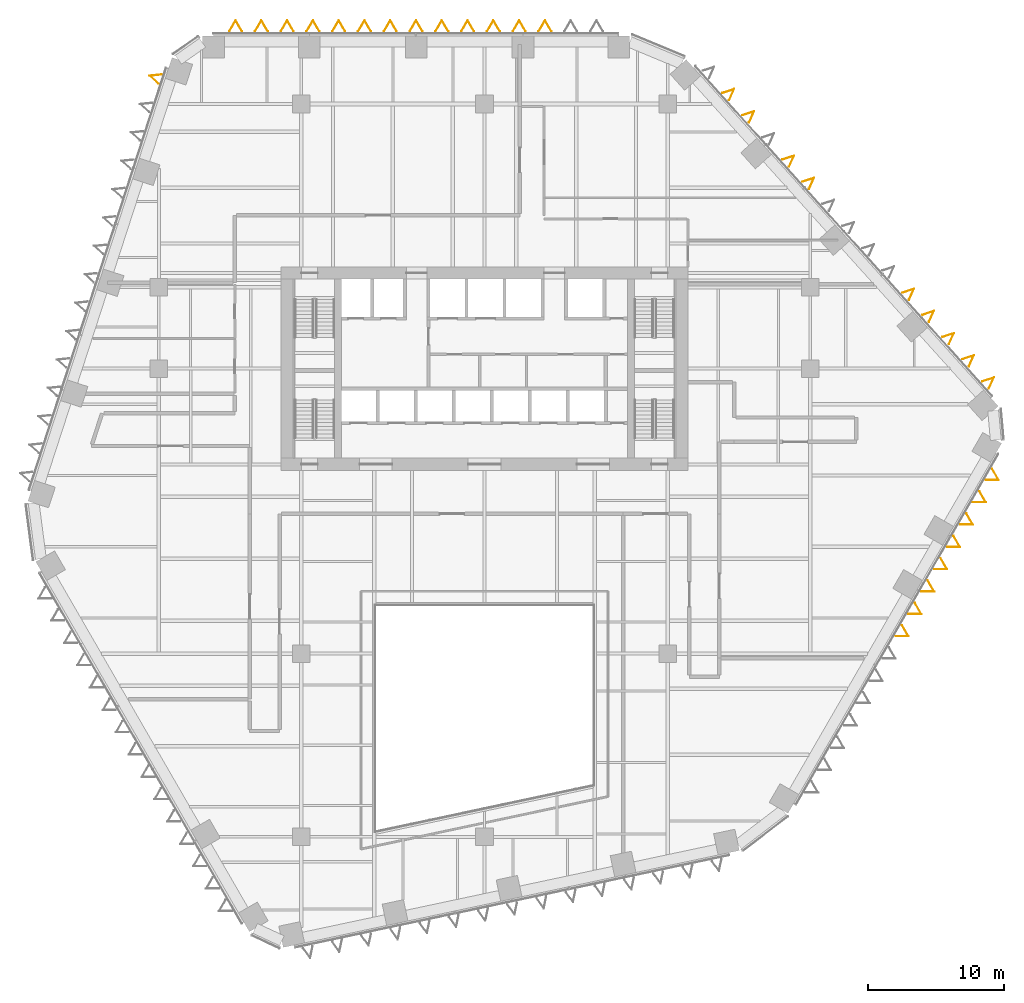
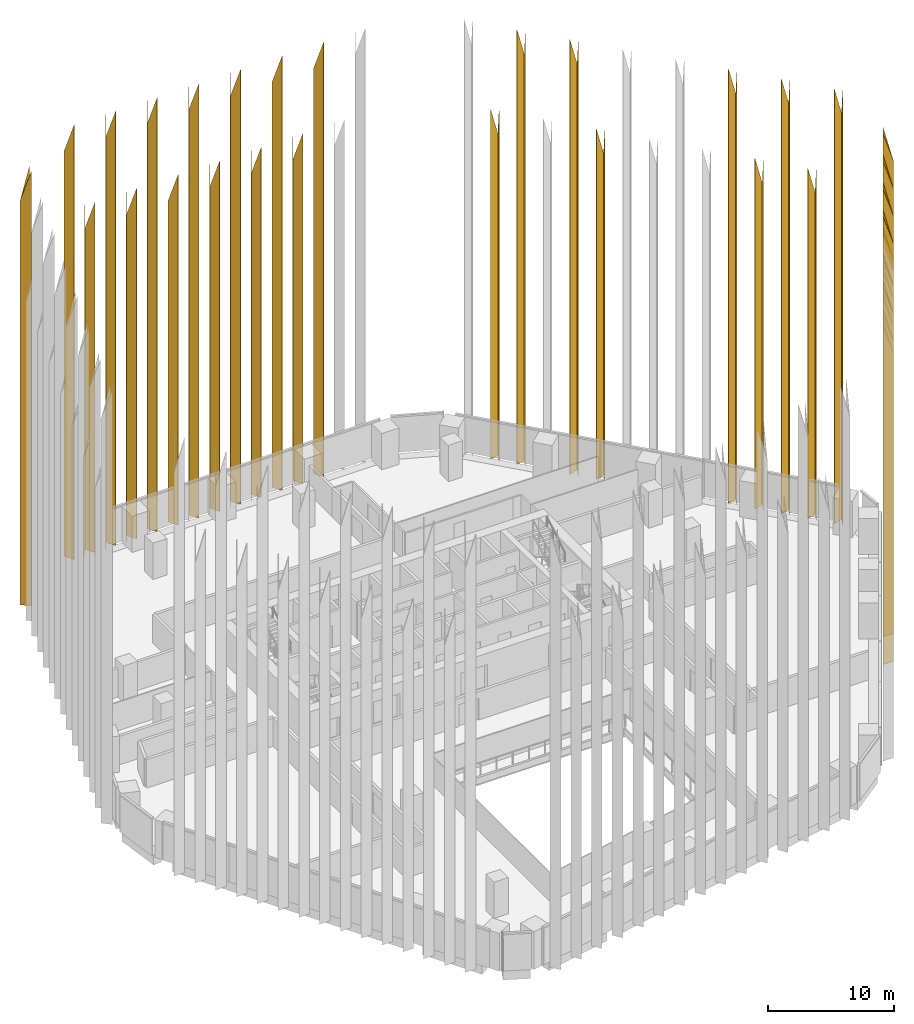
# One storey, part 23 of 24: 31 coverings.
"""IFC4 building model written with IfcOpenShell, lengths in metres."""

from ifc_helpers import new_model, si_unit, direction, frame, origin, place, context, subcontext, project, spatial, polyline, outline, faceted_brep, material, material_profile, profile_set, type_object, element, save


model = new_model("IFC4")

# Units and contexts
model_context = context("Model", 3, precision=1e-05, world=origin(), true_north=direction((0.0, 1.0)))
body_context = subcontext(model_context, "Body", "Model", "MODEL_VIEW")
ifc_project = project(units=[si_unit("LENGTHUNIT", "METRE"), si_unit("AREAUNIT", "SQUARE_METRE"), si_unit("VOLUMEUNIT", "CUBIC_METRE"), si_unit("PLANEANGLEUNIT", "RADIAN"), si_unit("MASSUNIT", "GRAM", prefix="KILO")], contexts=[model_context])

# Site, building, storey
site_placement = place(None, origin())
site = spatial("IfcSite", under=ifc_project, at=site_placement, CompositionType="ELEMENT")
building_placement = place(site_placement, origin())
building = spatial("IfcBuilding", under=site, at=building_placement, Name="Isthmus Gate Tower", CompositionType="ELEMENT")
storey_placement = place(building_placement, frame((0.0, 0.0, 80.64990234375)))
storey = spatial("IfcBuildingStorey", under=building, at=storey_placement, Name="L18", CompositionType="ELEMENT", Elevation=80.64990234375)

# Coverings
ifc_material_1 = material(Name="Structural steel ASTM A572 Gr 50, white paint system", Category="steel")
ifc_material_profile_1 = material_profile(ifc_material_1, outline(polyline([(0.0, -0.3740234375), (0.840087890625, 0.0), (0.0, 0.3740234375), (0.0, 0.341064453125), (0.766357421875, 0.0), (0.0, -0.341064453125), (0.0, -0.3740234375)])), Name="V840")
ifc_profile_set_1 = profile_set([ifc_material_profile_1], Name="Structural steel ASTM A572 Gr 50, white paint system")
covering_type_1 = type_object("IfcCoveringType", Name="FIN V 840 DEEP", PredefinedType="CLADDING", material=ifc_profile_set_1)
covering_1_placement = place(storey_placement, frame((0.0, 0.0, -80.64990234375)))
element("IfcCovering", 1, at=covering_1_placement, inside=storey, type_object=covering_type_1, Name="FIN", ObjectType="FIN", PredefinedType="CLADDING", context=body_context, shape_type="Brep", body=[
    faceted_brep([(-23.80615234375, 29.156005859375, 80.25), (-24.640380859375, 29.068359375, 80.25), (-24.01708984375, 28.507080078125, 80.25), (-24.027099609375, 28.475830078125, 80.25), (-24.71044921875, 29.091064453125, 80.25), (-23.796142578125, 29.187255859375, 80.25), (-23.796142578125, 29.187255859375, 122.25), (-24.71044921875, 29.091064453125, 119.25), (-24.027099609375, 28.475830078125, 122.25), (-24.01708984375, 28.507080078125, 122.25), (-24.640380859375, 29.068359375, 119.513427734375), (-23.80615234375, 29.156005859375, 122.25)], [[[0, 1, 2, 3, 4, 5]], [[6, 7, 8, 9, 10, 11]], [[5, 4, 7, 6]], [[4, 3, 8, 7]], [[3, 2, 9, 8]], [[2, 1, 10, 9]], [[1, 0, 11, 10]], [[0, 5, 6, 11]]]),
])
covering_2_placement = place(storey_placement, frame((0.0, 0.0, -80.64990234375)))
element("IfcCovering", 2, at=covering_2_placement, inside=storey, type_object=covering_type_1, Name="FIN", ObjectType="FIN", PredefinedType="CLADDING", context=body_context, shape_type="Brep", body=[
    faceted_brep([(37.15283203125, 6.038818359375, 80.25), (37.493896484375, 6.804931640625, 80.25), (36.6962890625, 6.545654296875, 80.25), (36.67431640625, 6.570068359375, 80.25), (37.548828125, 6.854248046875, 80.25), (37.1748046875, 6.014404296875, 80.25), (37.1748046875, 6.014404296875, 122.25), (37.548828125, 6.854248046875, 119.25), (36.67431640625, 6.570068359375, 122.25), (36.6962890625, 6.545654296875, 122.25), (37.493896484375, 6.804931640625, 119.513427734375), (37.15283203125, 6.038818359375, 122.25)], [[[0, 1, 2, 3, 4, 5]], [[6, 7, 8, 9, 10, 11]], [[5, 4, 7, 6]], [[4, 3, 8, 7]], [[3, 2, 9, 8]], [[2, 1, 10, 9]], [[1, 0, 11, 10]], [[0, 5, 6, 11]]]),
])
covering_3_placement = place(storey_placement, frame((0.0, 0.0, -80.64990234375)))
element("IfcCovering", 3, at=covering_3_placement, inside=storey, type_object=covering_type_1, Name="FIN", ObjectType="FIN", PredefinedType="CLADDING", context=body_context, shape_type="Brep", body=[
    faceted_brep([(35.680908203125, 7.673828125, 80.25), (36.02197265625, 8.43994140625, 80.25), (35.224365234375, 8.1806640625, 80.25), (35.202392578125, 8.205078125, 80.25), (36.076904296875, 8.4892578125, 80.25), (35.702880859375, 7.6494140625, 80.25), (35.702880859375, 7.6494140625, 114.10009765625), (36.076904296875, 8.4892578125, 111.10009765625), (35.202392578125, 8.205078125, 114.10009765625), (35.224365234375, 8.1806640625, 114.10009765625), (36.02197265625, 8.43994140625, 111.363525390625), (35.680908203125, 7.673828125, 114.10009765625)], [[[0, 1, 2, 3, 4, 5]], [[6, 7, 8, 9, 10, 11]], [[5, 4, 7, 6]], [[4, 3, 8, 7]], [[3, 2, 9, 8]], [[2, 1, 10, 9]], [[1, 0, 11, 10]], [[0, 5, 6, 11]]]),
])
covering_4_placement = place(storey_placement, frame((0.0, 0.0, -80.64990234375)))
element("IfcCovering", 4, at=covering_4_placement, inside=storey, type_object=covering_type_1, Name="FIN", ObjectType="FIN", PredefinedType="CLADDING", context=body_context, shape_type="Brep", body=[
    faceted_brep([(34.208740234375, 9.308837890625, 80.25), (34.5498046875, 10.074951171875, 80.25), (33.752197265625, 9.815673828125, 80.25), (33.730224609375, 9.840087890625, 80.25), (34.604736328125, 10.124267578125, 80.25), (34.230712890625, 9.284423828125, 80.25), (34.230712890625, 9.284423828125, 122.25), (34.604736328125, 10.124267578125, 119.25), (33.730224609375, 9.840087890625, 122.25), (33.752197265625, 9.815673828125, 122.25), (34.5498046875, 10.074951171875, 119.513427734375), (34.208740234375, 9.308837890625, 122.25)], [[[0, 1, 2, 3, 4, 5]], [[6, 7, 8, 9, 10, 11]], [[5, 4, 7, 6]], [[4, 3, 8, 7]], [[3, 2, 9, 8]], [[2, 1, 10, 9]], [[1, 0, 11, 10]], [[0, 5, 6, 11]]]),
])
covering_5_placement = place(storey_placement, frame((0.0, 0.0, -80.64990234375)))
element("IfcCovering", 5, at=covering_5_placement, inside=storey, type_object=covering_type_1, Name="FIN", ObjectType="FIN", PredefinedType="CLADDING", context=body_context, shape_type="Brep", body=[
    faceted_brep([(32.736572265625, 10.943603515625, 80.25), (33.07763671875, 11.709716796875, 80.25), (32.280029296875, 11.450439453125, 80.25), (32.258056640625, 11.474853515625, 80.25), (33.132568359375, 11.759033203125, 80.25), (32.758544921875, 10.919189453125, 80.25), (32.758544921875, 10.919189453125, 114.10009765625), (33.132568359375, 11.759033203125, 111.10009765625), (32.258056640625, 11.474853515625, 114.10009765625), (32.280029296875, 11.450439453125, 114.10009765625), (33.07763671875, 11.709716796875, 111.363525390625), (32.736572265625, 10.943603515625, 114.10009765625)], [[[0, 1, 2, 3, 4, 5]], [[6, 7, 8, 9, 10, 11]], [[5, 4, 7, 6]], [[4, 3, 8, 7]], [[3, 2, 9, 8]], [[2, 1, 10, 9]], [[1, 0, 11, 10]], [[0, 5, 6, 11]]]),
])
covering_6_placement = place(storey_placement, frame((0.0, 0.0, -80.64990234375)))
element("IfcCovering", 6, at=covering_6_placement, inside=storey, type_object=covering_type_1, Name="FIN", ObjectType="FIN", PredefinedType="CLADDING", context=body_context, shape_type="Brep", body=[
    faceted_brep([(31.264404296875, 12.57861328125, 80.25), (31.60546875, 13.3447265625, 80.25), (30.807861328125, 13.08544921875, 80.25), (30.785888671875, 13.10986328125, 80.25), (31.660400390625, 13.39404296875, 80.25), (31.286376953125, 12.55419921875, 80.25), (31.286376953125, 12.55419921875, 122.25), (31.660400390625, 13.39404296875, 119.25), (30.785888671875, 13.10986328125, 122.25), (30.807861328125, 13.08544921875, 122.25), (31.60546875, 13.3447265625, 119.513427734375), (31.264404296875, 12.57861328125, 122.25)], [[[0, 1, 2, 3, 4, 5]], [[6, 7, 8, 9, 10, 11]], [[5, 4, 7, 6]], [[4, 3, 8, 7]], [[3, 2, 9, 8]], [[2, 1, 10, 9]], [[1, 0, 11, 10]], [[0, 5, 6, 11]]]),
])
covering_7_placement = place(storey_placement, frame((0.0, 0.0, -80.64990234375)))
element("IfcCovering", 7, at=covering_7_placement, inside=storey, type_object=covering_type_1, Name="FIN", ObjectType="FIN", PredefinedType="CLADDING", context=body_context, shape_type="Brep", body=[
    faceted_brep([(23.904052734375, 20.753173828125, 80.25), (24.2451171875, 21.519287109375, 80.25), (23.447509765625, 21.260009765625, 80.25), (23.425537109375, 21.284423828125, 80.25), (24.300048828125, 21.568603515625, 80.25), (23.926025390625, 20.728759765625, 80.25), (23.926025390625, 20.728759765625, 114.10009765625), (24.300048828125, 21.568603515625, 111.10009765625), (23.425537109375, 21.284423828125, 114.10009765625), (23.447509765625, 21.260009765625, 114.10009765625), (24.2451171875, 21.519287109375, 111.363525390625), (23.904052734375, 20.753173828125, 114.10009765625)], [[[0, 1, 2, 3, 4, 5]], [[6, 7, 8, 9, 10, 11]], [[5, 4, 7, 6]], [[4, 3, 8, 7]], [[3, 2, 9, 8]], [[2, 1, 10, 9]], [[1, 0, 11, 10]], [[0, 5, 6, 11]]]),
])
covering_8_placement = place(storey_placement, frame((0.0, 0.0, -80.64990234375)))
element("IfcCovering", 8, at=covering_8_placement, inside=storey, type_object=covering_type_1, Name="FIN", ObjectType="FIN", PredefinedType="CLADDING", context=body_context, shape_type="Brep", body=[
    faceted_brep([(22.431884765625, 22.38818359375, 80.25), (22.77294921875, 23.154296875, 80.25), (21.975341796875, 22.89501953125, 80.25), (21.953369140625, 22.91943359375, 80.25), (22.827880859375, 23.20361328125, 80.25), (22.453857421875, 22.36376953125, 80.25), (22.453857421875, 22.36376953125, 122.25), (22.827880859375, 23.20361328125, 119.25), (21.953369140625, 22.91943359375, 122.25), (21.975341796875, 22.89501953125, 122.25), (22.77294921875, 23.154296875, 119.513427734375), (22.431884765625, 22.38818359375, 122.25)], [[[0, 1, 2, 3, 4, 5]], [[6, 7, 8, 9, 10, 11]], [[5, 4, 7, 6]], [[4, 3, 8, 7]], [[3, 2, 9, 8]], [[2, 1, 10, 9]], [[1, 0, 11, 10]], [[0, 5, 6, 11]]]),
])
covering_9_placement = place(storey_placement, frame((0.0, 0.0, -80.64990234375)))
element("IfcCovering", 9, at=covering_9_placement, inside=storey, type_object=covering_type_1, Name="FIN", ObjectType="FIN", PredefinedType="CLADDING", context=body_context, shape_type="Brep", body=[
    faceted_brep([(19.48779296875, 25.657958984375, 80.25), (19.828857421875, 26.424072265625, 80.25), (19.03125, 26.164794921875, 80.25), (19.00927734375, 26.189208984375, 80.25), (19.8837890625, 26.473388671875, 80.25), (19.509765625, 25.633544921875, 80.25), (19.509765625, 25.633544921875, 122.25), (19.8837890625, 26.473388671875, 119.25), (19.00927734375, 26.189208984375, 122.25), (19.03125, 26.164794921875, 122.25), (19.828857421875, 26.424072265625, 119.513427734375), (19.48779296875, 25.657958984375, 122.25)], [[[0, 1, 2, 3, 4, 5]], [[6, 7, 8, 9, 10, 11]], [[5, 4, 7, 6]], [[4, 3, 8, 7]], [[3, 2, 9, 8]], [[2, 1, 10, 9]], [[1, 0, 11, 10]], [[0, 5, 6, 11]]]),
])
covering_10_placement = place(storey_placement, frame((0.0, 0.0, -80.64990234375)))
element("IfcCovering", 10, at=covering_10_placement, inside=storey, type_object=covering_type_1, Name="FIN", ObjectType="FIN", PredefinedType="CLADDING", context=body_context, shape_type="Brep", body=[
    faceted_brep([(18.015625, 27.29296875, 80.25), (18.356689453125, 28.05908203125, 80.25), (17.55908203125, 27.7998046875, 80.25), (17.537109375, 27.82421875, 80.25), (18.41162109375, 28.1083984375, 80.25), (18.03759765625, 27.2685546875, 80.25), (18.03759765625, 27.2685546875, 114.10009765625), (18.41162109375, 28.1083984375, 111.10009765625), (17.537109375, 27.82421875, 114.10009765625), (17.55908203125, 27.7998046875, 114.10009765625), (18.356689453125, 28.05908203125, 111.363525390625), (18.015625, 27.29296875, 114.10009765625)], [[[0, 1, 2, 3, 4, 5]], [[6, 7, 8, 9, 10, 11]], [[5, 4, 7, 6]], [[4, 3, 8, 7]], [[3, 2, 9, 8]], [[2, 1, 10, 9]], [[1, 0, 11, 10]], [[0, 5, 6, 11]]]),
])
ifc_material_2 = material(Name="Structural steel ASTM A572 Gr 50, white paint system", Category="steel")
ifc_material_profile_2 = material_profile(ifc_material_2, outline(polyline([(0.0, -0.48486328125), (0.840087890625, 0.0), (0.0, 0.48486328125), (0.0, 0.450439453125), (0.780029296875, 0.0), (0.0, -0.450439453125), (0.0, -0.48486328125)])), Name="V840W")
ifc_profile_set_2 = profile_set([ifc_material_profile_2], Name="Structural steel ASTM A572 Gr 50, white paint system")
covering_type_2 = type_object("IfcCoveringType", Name="FIN V 840 DEEP WIDE", PredefinedType="CLADDING", material=ifc_profile_set_2)
covering_11_placement = place(storey_placement, frame((0.0, 0.0, -80.64990234375)))
element("IfcCovering", 11, at=covering_11_placement, inside=storey, type_object=covering_type_2, Name="FIN", ObjectType="FIN", PredefinedType="CLADDING", context=body_context, shape_type="Brep", body=[
    faceted_brep([(4.913330078125, 32.35009765625, 80.25), (4.462890625, 33.130126953125, 80.25), (4.012451171875, 32.35009765625, 80.25), (3.97802734375, 32.35009765625, 80.25), (4.462890625, 33.190185546875, 80.25), (4.94775390625, 32.35009765625, 80.25), (4.94775390625, 32.35009765625, 122.25), (4.462890625, 33.190185546875, 119.25), (3.97802734375, 32.35009765625, 122.25), (4.012451171875, 32.35009765625, 122.25), (4.462890625, 33.130126953125, 119.46435546875), (4.913330078125, 32.35009765625, 122.25)], [[[0, 1, 2, 3, 4, 5]], [[6, 7, 8, 9, 10, 11]], [[5, 4, 7, 6]], [[4, 3, 8, 7]], [[3, 2, 9, 8]], [[2, 1, 10, 9]], [[1, 0, 11, 10]], [[0, 5, 6, 11]]]),
])
covering_12_placement = place(storey_placement, frame((0.0, 0.0, -80.64990234375)))
element("IfcCovering", 12, at=covering_12_placement, inside=storey, type_object=covering_type_2, Name="FIN", ObjectType="FIN", PredefinedType="CLADDING", context=body_context, shape_type="Brep", body=[
    faceted_brep([(3.01318359375, 32.35009765625, 80.25), (2.562744140625, 33.130126953125, 80.25), (2.1123046875, 32.35009765625, 80.25), (2.077880859375, 32.35009765625, 80.25), (2.562744140625, 33.190185546875, 80.25), (3.047607421875, 32.35009765625, 80.25), (3.047607421875, 32.35009765625, 114.10009765625), (2.562744140625, 33.190185546875, 111.10009765625), (2.077880859375, 32.35009765625, 114.10009765625), (2.1123046875, 32.35009765625, 114.10009765625), (2.562744140625, 33.130126953125, 111.314208984375), (3.01318359375, 32.35009765625, 114.10009765625)], [[[0, 1, 2, 3, 4, 5]], [[6, 7, 8, 9, 10, 11]], [[5, 4, 7, 6]], [[4, 3, 8, 7]], [[3, 2, 9, 8]], [[2, 1, 10, 9]], [[1, 0, 11, 10]], [[0, 5, 6, 11]]]),
])
covering_13_placement = place(storey_placement, frame((0.0, 0.0, -80.64990234375)))
element("IfcCovering", 13, at=covering_13_placement, inside=storey, type_object=covering_type_2, Name="FIN", ObjectType="FIN", PredefinedType="CLADDING", context=body_context, shape_type="Brep", body=[
    faceted_brep([(1.11328125, 32.35009765625, 80.25), (0.662841796875, 33.130126953125, 80.25), (0.21240234375, 32.35009765625, 80.25), (0.177978515625, 32.35009765625, 80.25), (0.662841796875, 33.190185546875, 80.25), (1.147705078125, 32.35009765625, 80.25), (1.147705078125, 32.35009765625, 122.25), (0.662841796875, 33.190185546875, 119.25), (0.177978515625, 32.35009765625, 122.25), (0.21240234375, 32.35009765625, 122.25), (0.662841796875, 33.130126953125, 119.46435546875), (1.11328125, 32.35009765625, 122.25)], [[[0, 1, 2, 3, 4, 5]], [[6, 7, 8, 9, 10, 11]], [[5, 4, 7, 6]], [[4, 3, 8, 7]], [[3, 2, 9, 8]], [[2, 1, 10, 9]], [[1, 0, 11, 10]], [[0, 5, 6, 11]]]),
])
covering_14_placement = place(storey_placement, frame((0.0, 0.0, -80.64990234375)))
element("IfcCovering", 14, at=covering_14_placement, inside=storey, type_object=covering_type_2, Name="FIN", ObjectType="FIN", PredefinedType="CLADDING", context=body_context, shape_type="Brep", body=[
    faceted_brep([(-0.786865234375, 32.35009765625, 80.25), (-1.2373046875, 33.130126953125, 80.25), (-1.687744140625, 32.35009765625, 80.25), (-1.72216796875, 32.35009765625, 80.25), (-1.2373046875, 33.190185546875, 80.25), (-0.75244140625, 32.35009765625, 80.25), (-0.75244140625, 32.35009765625, 114.10009765625), (-1.2373046875, 33.190185546875, 111.10009765625), (-1.72216796875, 32.35009765625, 114.10009765625), (-1.687744140625, 32.35009765625, 114.10009765625), (-1.2373046875, 33.130126953125, 111.314208984375), (-0.786865234375, 32.35009765625, 114.10009765625)], [[[0, 1, 2, 3, 4, 5]], [[6, 7, 8, 9, 10, 11]], [[5, 4, 7, 6]], [[4, 3, 8, 7]], [[3, 2, 9, 8]], [[2, 1, 10, 9]], [[1, 0, 11, 10]], [[0, 5, 6, 11]]]),
])
covering_15_placement = place(storey_placement, frame((0.0, 0.0, -80.64990234375)))
element("IfcCovering", 15, at=covering_15_placement, inside=storey, type_object=covering_type_2, Name="FIN", ObjectType="FIN", PredefinedType="CLADDING", context=body_context, shape_type="Brep", body=[
    faceted_brep([(-2.686767578125, 32.35009765625, 80.25), (-3.13720703125, 33.130126953125, 80.25), (-3.587646484375, 32.35009765625, 80.25), (-3.6220703125, 32.35009765625, 80.25), (-3.13720703125, 33.190185546875, 80.25), (-2.65234375, 32.35009765625, 80.25), (-2.65234375, 32.35009765625, 122.25), (-3.13720703125, 33.190185546875, 119.25), (-3.6220703125, 32.35009765625, 122.25), (-3.587646484375, 32.35009765625, 122.25), (-3.13720703125, 33.130126953125, 119.46435546875), (-2.686767578125, 32.35009765625, 122.25)], [[[0, 1, 2, 3, 4, 5]], [[6, 7, 8, 9, 10, 11]], [[5, 4, 7, 6]], [[4, 3, 8, 7]], [[3, 2, 9, 8]], [[2, 1, 10, 9]], [[1, 0, 11, 10]], [[0, 5, 6, 11]]]),
])
covering_16_placement = place(storey_placement, frame((0.0, 0.0, -80.64990234375)))
element("IfcCovering", 16, at=covering_16_placement, inside=storey, type_object=covering_type_2, Name="FIN", ObjectType="FIN", PredefinedType="CLADDING", context=body_context, shape_type="Brep", body=[
    faceted_brep([(-4.586669921875, 32.35009765625, 80.25), (-5.037109375, 33.130126953125, 80.25), (-5.487548828125, 32.35009765625, 80.25), (-5.52197265625, 32.35009765625, 80.25), (-5.037109375, 33.190185546875, 80.25), (-4.55224609375, 32.35009765625, 80.25), (-4.55224609375, 32.35009765625, 114.10009765625), (-5.037109375, 33.190185546875, 111.10009765625), (-5.52197265625, 32.35009765625, 114.10009765625), (-5.487548828125, 32.35009765625, 114.10009765625), (-5.037109375, 33.130126953125, 111.314208984375), (-4.586669921875, 32.35009765625, 114.10009765625)], [[[0, 1, 2, 3, 4, 5]], [[6, 7, 8, 9, 10, 11]], [[5, 4, 7, 6]], [[4, 3, 8, 7]], [[3, 2, 9, 8]], [[2, 1, 10, 9]], [[1, 0, 11, 10]], [[0, 5, 6, 11]]]),
])
covering_17_placement = place(storey_placement, frame((0.0, 0.0, -80.64990234375)))
element("IfcCovering", 17, at=covering_17_placement, inside=storey, type_object=covering_type_2, Name="FIN", ObjectType="FIN", PredefinedType="CLADDING", context=body_context, shape_type="Brep", body=[
    faceted_brep([(-6.48681640625, 32.35009765625, 80.25), (-6.937255859375, 33.130126953125, 80.25), (-7.3876953125, 32.35009765625, 80.25), (-7.422119140625, 32.35009765625, 80.25), (-6.937255859375, 33.190185546875, 80.25), (-6.452392578125, 32.35009765625, 80.25), (-6.452392578125, 32.35009765625, 122.25), (-6.937255859375, 33.190185546875, 119.25), (-7.422119140625, 32.35009765625, 122.25), (-7.3876953125, 32.35009765625, 122.25), (-6.937255859375, 33.130126953125, 119.46435546875), (-6.48681640625, 32.35009765625, 122.25)], [[[0, 1, 2, 3, 4, 5]], [[6, 7, 8, 9, 10, 11]], [[5, 4, 7, 6]], [[4, 3, 8, 7]], [[3, 2, 9, 8]], [[2, 1, 10, 9]], [[1, 0, 11, 10]], [[0, 5, 6, 11]]]),
])
covering_18_placement = place(storey_placement, frame((0.0, 0.0, -80.64990234375)))
element("IfcCovering", 18, at=covering_18_placement, inside=storey, type_object=covering_type_2, Name="FIN", ObjectType="FIN", PredefinedType="CLADDING", context=body_context, shape_type="Brep", body=[
    faceted_brep([(-8.38671875, 32.35009765625, 80.25), (-8.837158203125, 33.130126953125, 80.25), (-9.28759765625, 32.35009765625, 80.25), (-9.322021484375, 32.35009765625, 80.25), (-8.837158203125, 33.190185546875, 80.25), (-8.352294921875, 32.35009765625, 80.25), (-8.352294921875, 32.35009765625, 114.10009765625), (-8.837158203125, 33.190185546875, 111.10009765625), (-9.322021484375, 32.35009765625, 114.10009765625), (-9.28759765625, 32.35009765625, 114.10009765625), (-8.837158203125, 33.130126953125, 111.314208984375), (-8.38671875, 32.35009765625, 114.10009765625)], [[[0, 1, 2, 3, 4, 5]], [[6, 7, 8, 9, 10, 11]], [[5, 4, 7, 6]], [[4, 3, 8, 7]], [[3, 2, 9, 8]], [[2, 1, 10, 9]], [[1, 0, 11, 10]], [[0, 5, 6, 11]]]),
])
covering_19_placement = place(storey_placement, frame((0.0, 0.0, -80.64990234375)))
element("IfcCovering", 19, at=covering_19_placement, inside=storey, type_object=covering_type_2, Name="FIN", ObjectType="FIN", PredefinedType="CLADDING", context=body_context, shape_type="Brep", body=[
    faceted_brep([(-10.286865234375, 32.35009765625, 80.25), (-10.7373046875, 33.130126953125, 80.25), (-11.187744140625, 32.35009765625, 80.25), (-11.22216796875, 32.35009765625, 80.25), (-10.7373046875, 33.190185546875, 80.25), (-10.25244140625, 32.35009765625, 80.25), (-10.25244140625, 32.35009765625, 122.25), (-10.7373046875, 33.190185546875, 119.25), (-11.22216796875, 32.35009765625, 122.25), (-11.187744140625, 32.35009765625, 122.25), (-10.7373046875, 33.130126953125, 119.46435546875), (-10.286865234375, 32.35009765625, 122.25)], [[[0, 1, 2, 3, 4, 5]], [[6, 7, 8, 9, 10, 11]], [[5, 4, 7, 6]], [[4, 3, 8, 7]], [[3, 2, 9, 8]], [[2, 1, 10, 9]], [[1, 0, 11, 10]], [[0, 5, 6, 11]]]),
])
covering_20_placement = place(storey_placement, frame((0.0, 0.0, -80.64990234375)))
element("IfcCovering", 20, at=covering_20_placement, inside=storey, type_object=covering_type_2, Name="FIN", ObjectType="FIN", PredefinedType="CLADDING", context=body_context, shape_type="Brep", body=[
    faceted_brep([(-12.186767578125, 32.35009765625, 80.25), (-12.63720703125, 33.130126953125, 80.25), (-13.087646484375, 32.35009765625, 80.25), (-13.1220703125, 32.35009765625, 80.25), (-12.63720703125, 33.190185546875, 80.25), (-12.15234375, 32.35009765625, 80.25), (-12.15234375, 32.35009765625, 114.10009765625), (-12.63720703125, 33.190185546875, 111.10009765625), (-13.1220703125, 32.35009765625, 114.10009765625), (-13.087646484375, 32.35009765625, 114.10009765625), (-12.63720703125, 33.130126953125, 111.314208984375), (-12.186767578125, 32.35009765625, 114.10009765625)], [[[0, 1, 2, 3, 4, 5]], [[6, 7, 8, 9, 10, 11]], [[5, 4, 7, 6]], [[4, 3, 8, 7]], [[3, 2, 9, 8]], [[2, 1, 10, 9]], [[1, 0, 11, 10]], [[0, 5, 6, 11]]]),
])
covering_21_placement = place(storey_placement, frame((0.0, 0.0, -80.64990234375)))
element("IfcCovering", 21, at=covering_21_placement, inside=storey, type_object=covering_type_2, Name="FIN", ObjectType="FIN", PredefinedType="CLADDING", context=body_context, shape_type="Brep", body=[
    faceted_brep([(-14.086669921875, 32.35009765625, 80.25), (-14.537109375, 33.130126953125, 80.25), (-14.987548828125, 32.35009765625, 80.25), (-15.02197265625, 32.35009765625, 80.25), (-14.537109375, 33.190185546875, 80.25), (-14.05224609375, 32.35009765625, 80.25), (-14.05224609375, 32.35009765625, 122.25), (-14.537109375, 33.190185546875, 119.25), (-15.02197265625, 32.35009765625, 122.25), (-14.987548828125, 32.35009765625, 122.25), (-14.537109375, 33.130126953125, 119.46435546875), (-14.086669921875, 32.35009765625, 122.25)], [[[0, 1, 2, 3, 4, 5]], [[6, 7, 8, 9, 10, 11]], [[5, 4, 7, 6]], [[4, 3, 8, 7]], [[3, 2, 9, 8]], [[2, 1, 10, 9]], [[1, 0, 11, 10]], [[0, 5, 6, 11]]]),
])
covering_22_placement = place(storey_placement, frame((0.0, 0.0, -80.64990234375)))
element("IfcCovering", 22, at=covering_22_placement, inside=storey, type_object=covering_type_2, Name="FIN", ObjectType="FIN", PredefinedType="CLADDING", context=body_context, shape_type="Brep", body=[
    faceted_brep([(-15.98681640625, 32.35009765625, 80.25), (-16.437255859375, 33.130126953125, 80.25), (-16.8876953125, 32.35009765625, 80.25), (-16.922119140625, 32.35009765625, 80.25), (-16.437255859375, 33.190185546875, 80.25), (-15.952392578125, 32.35009765625, 80.25), (-15.952392578125, 32.35009765625, 114.10009765625), (-16.437255859375, 33.190185546875, 111.10009765625), (-16.922119140625, 32.35009765625, 114.10009765625), (-16.8876953125, 32.35009765625, 114.10009765625), (-16.437255859375, 33.130126953125, 111.314208984375), (-15.98681640625, 32.35009765625, 114.10009765625)], [[[0, 1, 2, 3, 4, 5]], [[6, 7, 8, 9, 10, 11]], [[5, 4, 7, 6]], [[4, 3, 8, 7]], [[3, 2, 9, 8]], [[2, 1, 10, 9]], [[1, 0, 11, 10]], [[0, 5, 6, 11]]]),
])
covering_23_placement = place(storey_placement, frame((0.0, 0.0, -80.64990234375)))
element("IfcCovering", 23, at=covering_23_placement, inside=storey, type_object=covering_type_2, Name="FIN", ObjectType="FIN", PredefinedType="CLADDING", context=body_context, shape_type="Brep", body=[
    faceted_brep([(-17.88671875, 32.35009765625, 80.25), (-18.337158203125, 33.130126953125, 80.25), (-18.78759765625, 32.35009765625, 80.25), (-18.822021484375, 32.35009765625, 80.25), (-18.337158203125, 33.190185546875, 80.25), (-17.852294921875, 32.35009765625, 80.25), (-17.852294921875, 32.35009765625, 122.25), (-18.337158203125, 33.190185546875, 119.25), (-18.822021484375, 32.35009765625, 122.25), (-18.78759765625, 32.35009765625, 122.25), (-18.337158203125, 33.130126953125, 119.46435546875), (-17.88671875, 32.35009765625, 122.25)], [[[0, 1, 2, 3, 4, 5]], [[6, 7, 8, 9, 10, 11]], [[5, 4, 7, 6]], [[4, 3, 8, 7]], [[3, 2, 9, 8]], [[2, 1, 10, 9]], [[1, 0, 11, 10]], [[0, 5, 6, 11]]]),
])
covering_24_placement = place(storey_placement, frame((0.0, 0.0, -80.64990234375)))
element("IfcCovering", 24, at=covering_24_placement, inside=storey, type_object=covering_type_2, Name="FIN", ObjectType="FIN", PredefinedType="CLADDING", context=body_context, shape_type="Brep", body=[
    faceted_brep([(30.309326171875, -12.20263671875, 80.25), (31.2099609375, -12.20263671875, 80.25), (30.759521484375, -11.4228515625, 80.25), (30.77685546875, -11.392822265625, 80.25), (31.261962890625, -12.232666015625, 80.25), (30.2919921875, -12.232666015625, 80.25), (30.2919921875, -12.232666015625, 114.10009765625), (31.261962890625, -12.232666015625, 111.10009765625), (30.77685546875, -11.392822265625, 114.10009765625), (30.759521484375, -11.4228515625, 114.10009765625), (31.2099609375, -12.20263671875, 111.314208984375), (30.309326171875, -12.20263671875, 114.10009765625)], [[[0, 1, 2, 3, 4, 5]], [[6, 7, 8, 9, 10, 11]], [[5, 4, 7, 6]], [[4, 3, 8, 7]], [[3, 2, 9, 8]], [[2, 1, 10, 9]], [[1, 0, 11, 10]], [[0, 5, 6, 11]]]),
])
covering_25_placement = place(storey_placement, frame((0.0, 0.0, -80.64990234375)))
element("IfcCovering", 25, at=covering_25_placement, inside=storey, type_object=covering_type_2, Name="FIN", ObjectType="FIN", PredefinedType="CLADDING", context=body_context, shape_type="Brep", body=[
    faceted_brep([(31.259521484375, -10.55712890625, 80.25), (32.16015625, -10.55712890625, 80.25), (31.709716796875, -9.77734375, 80.25), (31.72705078125, -9.747314453125, 80.25), (32.212158203125, -10.587158203125, 80.25), (31.2421875, -10.587158203125, 80.25), (31.2421875, -10.587158203125, 122.25), (32.212158203125, -10.587158203125, 119.25), (31.72705078125, -9.747314453125, 122.25), (31.709716796875, -9.77734375, 122.25), (32.16015625, -10.55712890625, 119.46435546875), (31.259521484375, -10.55712890625, 122.25)], [[[0, 1, 2, 3, 4, 5]], [[6, 7, 8, 9, 10, 11]], [[5, 4, 7, 6]], [[4, 3, 8, 7]], [[3, 2, 9, 8]], [[2, 1, 10, 9]], [[1, 0, 11, 10]], [[0, 5, 6, 11]]]),
])
covering_26_placement = place(storey_placement, frame((0.0, 0.0, -80.64990234375)))
element("IfcCovering", 26, at=covering_26_placement, inside=storey, type_object=covering_type_2, Name="FIN", ObjectType="FIN", PredefinedType="CLADDING", context=body_context, shape_type="Brep", body=[
    faceted_brep([(32.20947265625, -8.91162109375, 80.25), (33.110107421875, -8.91162109375, 80.25), (32.65966796875, -8.1318359375, 80.25), (32.677001953125, -8.101806640625, 80.25), (33.162109375, -8.941650390625, 80.25), (32.192138671875, -8.941650390625, 80.25), (32.192138671875, -8.941650390625, 114.10009765625), (33.162109375, -8.941650390625, 111.10009765625), (32.677001953125, -8.101806640625, 114.10009765625), (32.65966796875, -8.1318359375, 114.10009765625), (33.110107421875, -8.91162109375, 111.314208984375), (32.20947265625, -8.91162109375, 114.10009765625)], [[[0, 1, 2, 3, 4, 5]], [[6, 7, 8, 9, 10, 11]], [[5, 4, 7, 6]], [[4, 3, 8, 7]], [[3, 2, 9, 8]], [[2, 1, 10, 9]], [[1, 0, 11, 10]], [[0, 5, 6, 11]]]),
])
covering_27_placement = place(storey_placement, frame((0.0, 0.0, -80.64990234375)))
element("IfcCovering", 27, at=covering_27_placement, inside=storey, type_object=covering_type_2, Name="FIN", ObjectType="FIN", PredefinedType="CLADDING", context=body_context, shape_type="Brep", body=[
    faceted_brep([(33.159423828125, -7.26611328125, 80.25), (34.06005859375, -7.26611328125, 80.25), (33.609619140625, -6.486328125, 80.25), (33.626953125, -6.456298828125, 80.25), (34.112060546875, -7.296142578125, 80.25), (33.14208984375, -7.296142578125, 80.25), (33.14208984375, -7.296142578125, 122.25), (34.112060546875, -7.296142578125, 119.25), (33.626953125, -6.456298828125, 122.25), (33.609619140625, -6.486328125, 122.25), (34.06005859375, -7.26611328125, 119.46435546875), (33.159423828125, -7.26611328125, 122.25)], [[[0, 1, 2, 3, 4, 5]], [[6, 7, 8, 9, 10, 11]], [[5, 4, 7, 6]], [[4, 3, 8, 7]], [[3, 2, 9, 8]], [[2, 1, 10, 9]], [[1, 0, 11, 10]], [[0, 5, 6, 11]]]),
])
covering_28_placement = place(storey_placement, frame((0.0, 0.0, -80.64990234375)))
element("IfcCovering", 28, at=covering_28_placement, inside=storey, type_object=covering_type_2, Name="FIN", ObjectType="FIN", PredefinedType="CLADDING", context=body_context, shape_type="Brep", body=[
    faceted_brep([(34.109375, -5.620849609375, 80.25), (35.010009765625, -5.620849609375, 80.25), (34.5595703125, -4.841064453125, 80.25), (34.576904296875, -4.81103515625, 80.25), (35.06201171875, -5.65087890625, 80.25), (34.092041015625, -5.65087890625, 80.25), (34.092041015625, -5.65087890625, 114.10009765625), (35.06201171875, -5.65087890625, 111.10009765625), (34.576904296875, -4.81103515625, 114.10009765625), (34.5595703125, -4.841064453125, 114.10009765625), (35.010009765625, -5.620849609375, 111.314208984375), (34.109375, -5.620849609375, 114.10009765625)], [[[0, 1, 2, 3, 4, 5]], [[6, 7, 8, 9, 10, 11]], [[5, 4, 7, 6]], [[4, 3, 8, 7]], [[3, 2, 9, 8]], [[2, 1, 10, 9]], [[1, 0, 11, 10]], [[0, 5, 6, 11]]]),
])
covering_29_placement = place(storey_placement, frame((0.0, 0.0, -80.64990234375)))
element("IfcCovering", 29, at=covering_29_placement, inside=storey, type_object=covering_type_2, Name="FIN", ObjectType="FIN", PredefinedType="CLADDING", context=body_context, shape_type="Brep", body=[
    faceted_brep([(35.059326171875, -3.975341796875, 80.25), (35.9599609375, -3.975341796875, 80.25), (35.509521484375, -3.195556640625, 80.25), (35.52685546875, -3.16552734375, 80.25), (36.011962890625, -4.00537109375, 80.25), (35.0419921875, -4.00537109375, 80.25), (35.0419921875, -4.00537109375, 122.25), (36.011962890625, -4.00537109375, 119.25), (35.52685546875, -3.16552734375, 122.25), (35.509521484375, -3.195556640625, 122.25), (35.9599609375, -3.975341796875, 119.46435546875), (35.059326171875, -3.975341796875, 122.25)], [[[0, 1, 2, 3, 4, 5]], [[6, 7, 8, 9, 10, 11]], [[5, 4, 7, 6]], [[4, 3, 8, 7]], [[3, 2, 9, 8]], [[2, 1, 10, 9]], [[1, 0, 11, 10]], [[0, 5, 6, 11]]]),
])
covering_30_placement = place(storey_placement, frame((0.0, 0.0, -80.64990234375)))
element("IfcCovering", 30, at=covering_30_placement, inside=storey, type_object=covering_type_2, Name="FIN", ObjectType="FIN", PredefinedType="CLADDING", context=body_context, shape_type="Brep", body=[
    faceted_brep([(36.009521484375, -2.329833984375, 80.25), (36.91015625, -2.329833984375, 80.25), (36.459716796875, -1.550048828125, 80.25), (36.47705078125, -1.52001953125, 80.25), (36.962158203125, -2.35986328125, 80.25), (35.9921875, -2.35986328125, 80.25), (35.9921875, -2.35986328125, 114.10009765625), (36.962158203125, -2.35986328125, 111.10009765625), (36.47705078125, -1.52001953125, 114.10009765625), (36.459716796875, -1.550048828125, 114.10009765625), (36.91015625, -2.329833984375, 111.314208984375), (36.009521484375, -2.329833984375, 114.10009765625)], [[[0, 1, 2, 3, 4, 5]], [[6, 7, 8, 9, 10, 11]], [[5, 4, 7, 6]], [[4, 3, 8, 7]], [[3, 2, 9, 8]], [[2, 1, 10, 9]], [[1, 0, 11, 10]], [[0, 5, 6, 11]]]),
])
covering_31_placement = place(storey_placement, frame((0.0, 0.0, -80.64990234375)))
element("IfcCovering", 31, at=covering_31_placement, inside=storey, type_object=covering_type_2, Name="FIN", ObjectType="FIN", PredefinedType="CLADDING", context=body_context, shape_type="Brep", body=[
    faceted_brep([(36.95947265625, -0.684326171875, 80.25), (37.860107421875, -0.684326171875, 80.25), (37.40966796875, 0.095458984375, 80.25), (37.427001953125, 0.12548828125, 80.25), (37.912109375, -0.71435546875, 80.25), (36.942138671875, -0.71435546875, 80.25), (36.942138671875, -0.71435546875, 122.25), (37.912109375, -0.71435546875, 119.25), (37.427001953125, 0.12548828125, 122.25), (37.40966796875, 0.095458984375, 122.25), (37.860107421875, -0.684326171875, 119.46435546875), (36.95947265625, -0.684326171875, 122.25)], [[[0, 1, 2, 3, 4, 5]], [[6, 7, 8, 9, 10, 11]], [[5, 4, 7, 6]], [[4, 3, 8, 7]], [[3, 2, 9, 8]], [[2, 1, 10, 9]], [[1, 0, 11, 10]], [[0, 5, 6, 11]]]),
])

save(model, "model.ifc")
